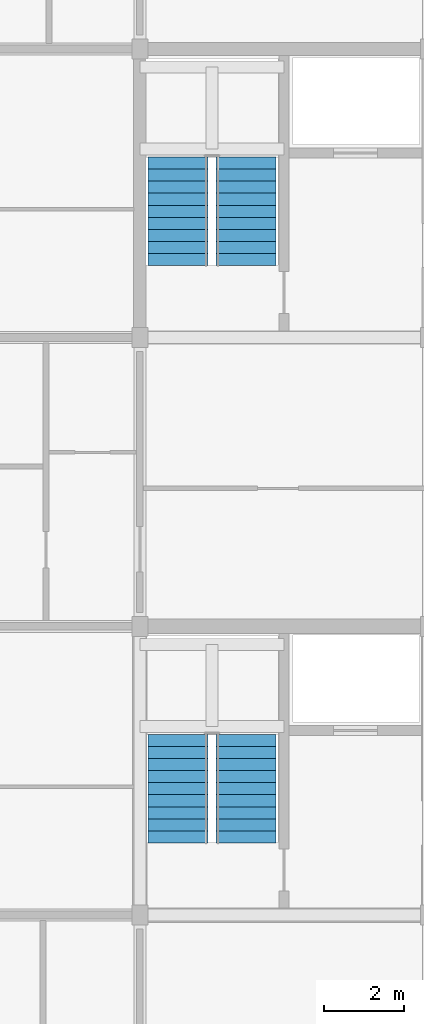
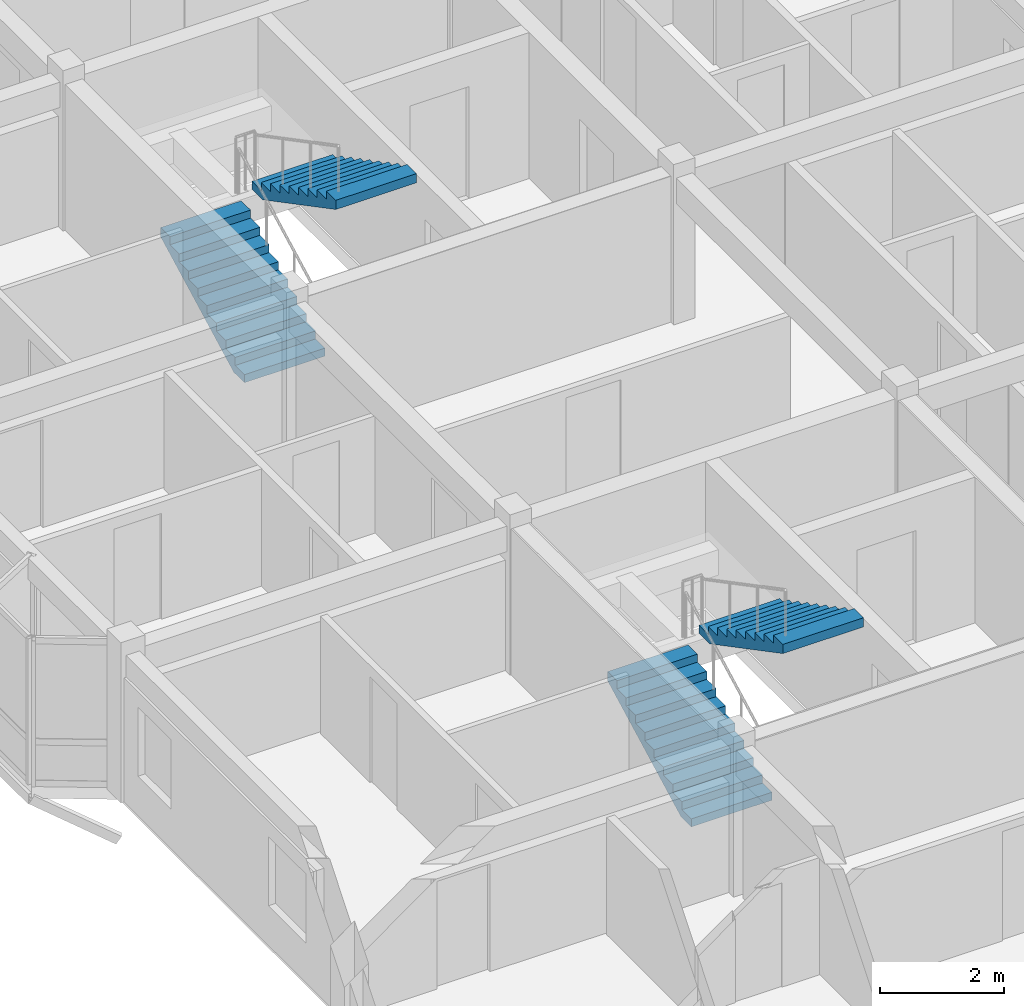
# One storey, part 21 of 23: 4 stair flights, 2 elements without a shape of their own.
"""IFC4 building model written with IfcOpenShell, lengths in metres."""

from ifc_helpers import new_model, si_unit, direction, frame, origin, place, context, subcontext, project, spatial, polyline, outline, extrude, material, type_object, element, aggregate, save


model = new_model("IFC4")

# Units and contexts
model_context = context("Model", 3, precision=1e-05, world=origin(), true_north=direction((0.0, 1.0)))
body_context = subcontext(model_context, "Body", "Model", "MODEL_VIEW")
ifc_project = project(units=[si_unit("LENGTHUNIT", "METRE"), si_unit("AREAUNIT", "SQUARE_METRE"), si_unit("VOLUMEUNIT", "CUBIC_METRE"), si_unit("PLANEANGLEUNIT", "RADIAN"), si_unit("MASSUNIT", "GRAM", prefix="KILO"), si_unit("THERMODYNAMICTEMPERATUREUNIT", "KELVIN"), si_unit("POWERUNIT", "WATT")], contexts=[model_context])

# Site, building, storey
site_placement = place(None, origin())
site = spatial("IfcSite", under=ifc_project, at=site_placement, CompositionType="ELEMENT")
building_placement = place(site_placement, origin())
building = spatial("IfcBuilding", under=site, at=building_placement, Name="Tavuni Mirador Residences", CompositionType="ELEMENT")
storey_placement = place(building_placement, frame((0.0, 0.0, 42.300048828125)))
storey = spatial("IfcBuildingStorey", under=building, at=storey_placement, Name="L13", CompositionType="ELEMENT", Elevation=42.300048828125)

# Stair, stair flights
ifc_material = material(Name="Precast concrete C40/50", Category="concrete")
stair_type = type_object("IfcStairType", Name="STT-TYP", PredefinedType="HALF_TURN_STAIR", material=ifc_material)
stair_1_placement = place(storey_placement, origin())
stair_1 = element("IfcStair", 1, at=stair_1_placement, inside=storey, type_object=stair_type, Name="Protected exit stair ST1 (L13)", PredefinedType="HALF_TURN_STAIR")
stair_flight_type = type_object("IfcStairFlightType", Name="SFT-1500", PredefinedType="STRAIGHT", material=ifc_material)
stair_flight_1_placement = place(storey_placement, frame((11.75, 16.199951171875, 0.0), z_axis=(0.0, 0.0, 1.0), x_axis=(0.0, 1.0, 0.0)))
stair_flight_1 = element("IfcStairFlight", 2, at=stair_flight_1_placement, type_object=stair_flight_type, Name="ST1 flight 1", NumberOfRisers=10, NumberOfTreads=9, PredefinedType="STRAIGHT", RiserHeight=0.1575, TreadLength=0.3, context=body_context, shape_type="SweptSolid", body=[
    extrude(outline(polyline([(0.0, 0.0), (0.0, 0.157470703125), (0.300048828125, 0.157470703125), (0.300048828125, 0.31494140625), (0.60009765625, 0.31494140625), (0.60009765625, 0.472412109375), (0.89990234375, 0.472412109375), (0.89990234375, 0.6298828125), (1.199951171875, 0.6298828125), (1.199951171875, 0.78759765625), (1.5, 0.78759765625), (1.5, 0.945068359375), (1.800048828125, 0.945068359375), (1.800048828125, 1.1025390625), (2.10009765625, 1.1025390625), (2.10009765625, 1.260009765625), (2.39990234375, 1.260009765625), (2.39990234375, 1.41748046875), (2.699951171875, 1.41748046875), (2.699951171875, 1.574951171875), (2.699951171875, 1.23681640625), (0.343994140625, 0.0), (0.0, 0.0)])), frame((0.0, 0.75, 0.0), z_axis=(0.0, -1.0, 0.0), x_axis=(1.0, 0.0, 0.0)), (0.0, 0.0, 1.0), 1.5),
])
stair_flight_2_placement = place(storey_placement, frame((13.449951171875, 18.89990234375, 1.574951171875), z_axis=(0.0, 0.0, 1.0), x_axis=(0.0, -1.0, 0.0)))
stair_flight_2 = element("IfcStairFlight", 3, at=stair_flight_2_placement, type_object=stair_flight_type, Name="ST1 flight 2", NumberOfRisers=10, NumberOfTreads=9, PredefinedType="STRAIGHT", RiserHeight=0.1575, TreadLength=0.3, context=body_context, shape_type="SweptSolid", body=[
    extrude(outline(polyline([(0.0, 0.0), (0.0, 0.157470703125), (0.300048828125, 0.157470703125), (0.300048828125, 0.31494140625), (0.60009765625, 0.31494140625), (0.60009765625, 0.472412109375), (0.89990234375, 0.472412109375), (0.89990234375, 0.6298828125), (1.199951171875, 0.6298828125), (1.199951171875, 0.78759765625), (1.5, 0.78759765625), (1.5, 0.945068359375), (1.800048828125, 0.945068359375), (1.800048828125, 1.1025390625), (2.10009765625, 1.1025390625), (2.10009765625, 1.260009765625), (2.39990234375, 1.260009765625), (2.39990234375, 1.41748046875), (2.699951171875, 1.41748046875), (2.699951171875, 1.574951171875), (2.699951171875, 1.23681640625), (0.343994140625, 0.0), (0.0, 0.0)])), frame((0.0, 0.75, 0.0), z_axis=(0.0, -1.0, 0.0), x_axis=(1.0, 0.0, 0.0)), (0.0, 0.0, 1.0), 1.5),
])
aggregate(stair_1, [stair_flight_1, stair_flight_2])

stair_2_placement = place(storey_placement, origin())
stair_2 = element("IfcStair", 4, at=stair_2_placement, inside=storey, type_object=stair_type, Name="Protected exit stair ST2 (L13)", PredefinedType="HALF_TURN_STAIR")
stair_flight_3_placement = place(storey_placement, frame((11.75, 30.60009765625, 0.0), z_axis=(0.0, 0.0, 1.0), x_axis=(0.0, 1.0, 0.0)))
stair_flight_3 = element("IfcStairFlight", 5, at=stair_flight_3_placement, type_object=stair_flight_type, Name="ST2 flight 1", NumberOfRisers=10, NumberOfTreads=9, PredefinedType="STRAIGHT", RiserHeight=0.1575, TreadLength=0.3, context=body_context, shape_type="SweptSolid", body=[
    extrude(outline(polyline([(0.0, 0.0), (0.0, 0.157470703125), (0.300048828125, 0.157470703125), (0.300048828125, 0.31494140625), (0.60009765625, 0.31494140625), (0.60009765625, 0.472412109375), (0.89990234375, 0.472412109375), (0.89990234375, 0.6298828125), (1.199951171875, 0.6298828125), (1.199951171875, 0.78759765625), (1.5, 0.78759765625), (1.5, 0.945068359375), (1.800048828125, 0.945068359375), (1.800048828125, 1.1025390625), (2.10009765625, 1.1025390625), (2.10009765625, 1.260009765625), (2.39990234375, 1.260009765625), (2.39990234375, 1.41748046875), (2.699951171875, 1.41748046875), (2.699951171875, 1.574951171875), (2.699951171875, 1.23681640625), (0.343994140625, 0.0), (0.0, 0.0)])), frame((0.0, 0.75, 0.0), z_axis=(0.0, -1.0, 0.0), x_axis=(1.0, 0.0, 0.0)), (0.0, 0.0, 1.0), 1.5),
])
stair_flight_4_placement = place(storey_placement, frame((13.449951171875, 33.300048828125, 1.574951171875), z_axis=(0.0, 0.0, 1.0), x_axis=(0.0, -1.0, 0.0)))
stair_flight_4 = element("IfcStairFlight", 6, at=stair_flight_4_placement, type_object=stair_flight_type, Name="ST2 flight 2", NumberOfRisers=10, NumberOfTreads=9, PredefinedType="STRAIGHT", RiserHeight=0.1575, TreadLength=0.3, context=body_context, shape_type="SweptSolid", body=[
    extrude(outline(polyline([(0.0, 0.0), (0.0, 0.157470703125), (0.300048828125, 0.157470703125), (0.300048828125, 0.31494140625), (0.60009765625, 0.31494140625), (0.60009765625, 0.472412109375), (0.89990234375, 0.472412109375), (0.89990234375, 0.6298828125), (1.199951171875, 0.6298828125), (1.199951171875, 0.78759765625), (1.5, 0.78759765625), (1.5, 0.945068359375), (1.800048828125, 0.945068359375), (1.800048828125, 1.1025390625), (2.10009765625, 1.1025390625), (2.10009765625, 1.260009765625), (2.39990234375, 1.260009765625), (2.39990234375, 1.41748046875), (2.699951171875, 1.41748046875), (2.699951171875, 1.574951171875), (2.699951171875, 1.23681640625), (0.343994140625, 0.0), (0.0, 0.0)])), frame((0.0, 0.75, 0.0), z_axis=(0.0, -1.0, 0.0), x_axis=(1.0, 0.0, 0.0)), (0.0, 0.0, 1.0), 1.5),
])
aggregate(stair_2, [stair_flight_3, stair_flight_4])

save(model, "model.ifc")
